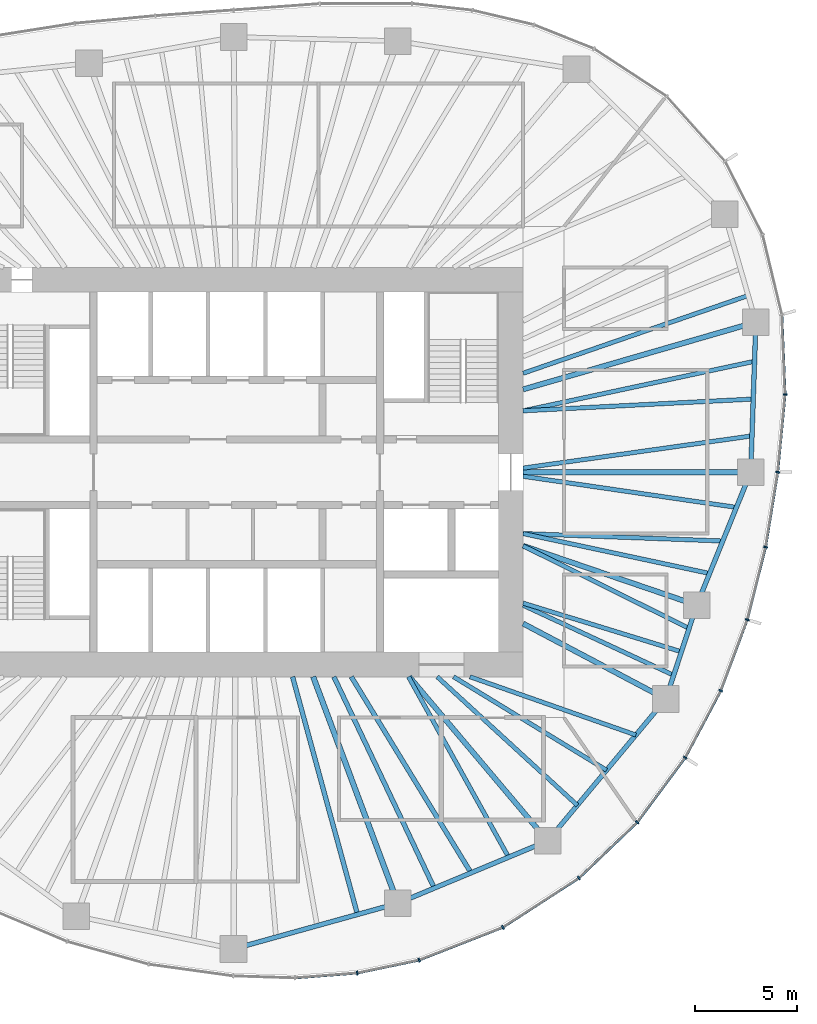
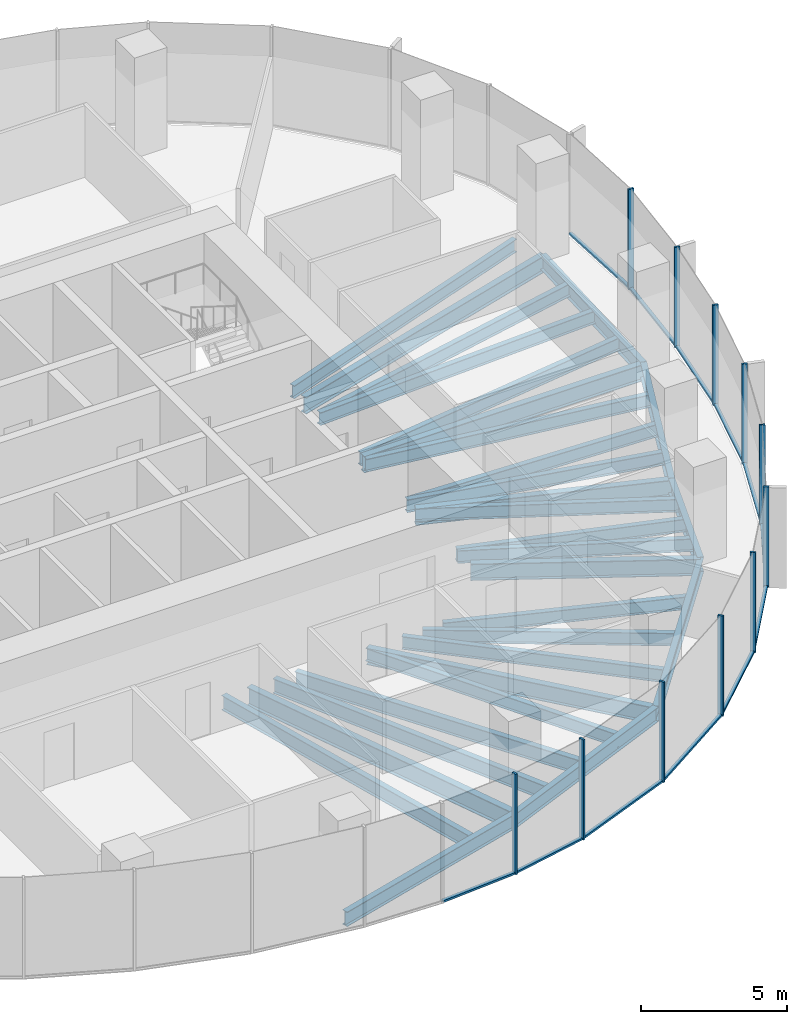
# One storey, part 4 of 12: 29 beams, 23 members, 6 elements without a shape of their own.
"""IFC4 building model written with IfcOpenShell, lengths in metres."""

from ifc_helpers import new_model, si_unit, direction, frame, origin, origin_2d, place, context, subcontext, project, spatial, rectangle, i_section, extrude, material, material_profile, profile_set, type_object, element, aggregate, save


model = new_model("IFC4")

# Units and contexts
model_context = context("Model", 3, precision=1e-05, world=origin(), true_north=direction((0.0, 1.0)))
body_context = subcontext(model_context, "Body", "Model", "MODEL_VIEW")
ifc_project = project(units=[si_unit("LENGTHUNIT", "METRE"), si_unit("AREAUNIT", "SQUARE_METRE"), si_unit("VOLUMEUNIT", "CUBIC_METRE"), si_unit("PLANEANGLEUNIT", "RADIAN"), si_unit("MASSUNIT", "GRAM", prefix="KILO")], contexts=[model_context])

# Site, building, storey
site_placement = place(None, origin())
site = spatial("IfcSite", under=ifc_project, at=site_placement, CompositionType="ELEMENT")
building_placement = place(site_placement, origin())
building = spatial("IfcBuilding", under=site, at=building_placement, Name="Ghaith Harvest Tower", CompositionType="ELEMENT")
storey_placement = place(building_placement, frame((0.0, 0.0, 228.39990234375)))
storey = spatial("IfcBuildingStorey", under=building, at=storey_placement, Name="L50", CompositionType="ELEMENT", Elevation=228.39990234375)

# Curtain wall, members
ifc_material_1 = material(Name="Black anodised aluminium and fritted glass", Category="aluminium")
curtain_wall_type = type_object("IfcCurtainWallType", Name="CW-H CURTAIN WALL", PredefinedType="NOTDEFINED", material=ifc_material_1)
curtain_wall_1_placement = place(storey_placement, origin())
curtain_wall_1 = element("IfcCurtainWall", 1, at=curtain_wall_1_placement, inside=storey, type_object=curtain_wall_type, Name="Curtain wall CW-H bay 01 L50", PredefinedType="NOTDEFINED")
ifc_material_2 = material(Name="Aluminium, black anodised", Category="aluminium")
ifc_material_profile_1 = material_profile(ifc_material_2, rectangle(XDim=0.080078125, YDim=0.199951171875, at=origin_2d()), Name="CW-H MULLION 80x200")
ifc_profile_set_1 = profile_set([ifc_material_profile_1], Name="Aluminium, black anodised")
member_type_1 = type_object("IfcMemberType", Name="CW-H MULLION 80x200", PredefinedType="MULLION", material=ifc_profile_set_1)
member_1_placement = place(storey_placement, frame((26.445068359375, 0.0, 0.0), z_axis=(0.0, 0.0, 1.0), x_axis=(0.126567624553, 0.991957981174, 0.0)))
member_1 = element("IfcMember", 2, at=member_1_placement, type_object=member_type_1, Name="CW-H mullion 1 bay 01 L50", PredefinedType="MULLION", context=body_context, shape_type="SweptSolid", body=[
    extrude(rectangle(XDim=0.080078125, YDim=0.199951171875, at=origin_2d()), origin(), (0.0, 0.0, 1.0), 4.2001953125),
])
member_2_placement = place(storey_placement, frame((26.804443359375, 3.7958984375, 0.0), z_axis=(0.0, 0.0, 1.0), x_axis=(0.026142797814, 0.999658218654, 0.0)))
member_2 = element("IfcMember", 3, at=member_2_placement, type_object=member_type_1, Name="CW-H mullion 2 bay 01 L50", PredefinedType="MULLION", context=body_context, shape_type="SweptSolid", body=[
    extrude(rectangle(XDim=0.080078125, YDim=0.199951171875, at=origin_2d()), origin(), (0.0, 0.0, 1.0), 4.2001953125),
])

# Curtain wall, member
curtain_wall_2_placement = place(storey_placement, origin())
curtain_wall_2 = element("IfcCurtainWall", 4, at=curtain_wall_2_placement, inside=storey, type_object=curtain_wall_type, Name="Curtain wall CW-H bay 16 L50", PredefinedType="NOTDEFINED")
member_3_placement = place(storey_placement, frame((5.893310546875, -24.48291015625, 0.0), z_axis=(0.0, 0.0, 1.0), x_axis=(0.989849191496, 0.142121701704, 0.0)))
member_3 = element("IfcMember", 5, at=member_3_placement, type_object=member_type_1, Name="CW-H mullion 3 bay 16 L50", PredefinedType="MULLION", context=body_context, shape_type="SweptSolid", body=[
    extrude(rectangle(XDim=0.080078125, YDim=0.199951171875, at=origin_2d()), origin(), (0.0, 0.0, 1.0), 4.2001953125),
])

# Curtain wall, members
curtain_wall_3_placement = place(storey_placement, origin())
curtain_wall_3 = element("IfcCurtainWall", 6, at=curtain_wall_3_placement, inside=storey, type_object=curtain_wall_type, Name="Curtain wall CW-H bay 17 L50", PredefinedType="NOTDEFINED")
member_4_placement = place(storey_placement, frame((8.916015625, -23.85009765625, 0.0), z_axis=(0.0, 0.0, 1.0), x_axis=(0.954029934434, 0.299711334793, 0.0)))
member_4 = element("IfcMember", 7, at=member_4_placement, type_object=member_type_1, Name="CW-H mullion 1 bay 17 L50", PredefinedType="MULLION", context=body_context, shape_type="SweptSolid", body=[
    extrude(rectangle(XDim=0.080078125, YDim=0.199951171875, at=origin_2d()), origin(), (0.0, 0.0, 1.0), 4.2001953125),
])
member_5_placement = place(storey_placement, frame((13.010009765625, -22.2470703125, 0.0), z_axis=(0.0, 0.0, 1.0), x_axis=(0.889568363425, 0.456802065225, 0.0)))
member_5 = element("IfcMember", 8, at=member_5_placement, type_object=member_type_1, Name="CW-H mullion 2 bay 17 L50", PredefinedType="MULLION", context=body_context, shape_type="SweptSolid", body=[
    extrude(rectangle(XDim=0.080078125, YDim=0.199951171875, at=origin_2d()), origin(), (0.0, 0.0, 1.0), 4.2001953125),
])

curtain_wall_4_placement = place(storey_placement, origin())
curtain_wall_4 = element("IfcCurtainWall", 9, at=curtain_wall_4_placement, inside=storey, type_object=curtain_wall_type, Name="Curtain wall CW-H bay 18 L50", PredefinedType="NOTDEFINED")
member_6_placement = place(storey_placement, frame((16.72900390625, -19.838134765625, 0.0), z_axis=(0.0, 0.0, 1.0), x_axis=(0.78784554071, 0.615872879727, 0.0)))
member_6 = element("IfcMember", 10, at=member_6_placement, type_object=member_type_1, Name="CW-H mullion 1 bay 18 L50", PredefinedType="MULLION", context=body_context, shape_type="SweptSolid", body=[
    extrude(rectangle(XDim=0.080078125, YDim=0.199951171875, at=origin_2d()), origin(), (0.0, 0.0, 1.0), 4.2001953125),
])
member_7_placement = place(storey_placement, frame((19.57421875, -17.11572265625, 0.0), z_axis=(0.0, 0.0, 1.0), x_axis=(0.661614965695, 0.749843741835, 0.0)))
member_7 = element("IfcMember", 11, at=member_7_placement, type_object=member_type_1, Name="CW-H mullion 2 bay 18 L50", PredefinedType="MULLION", context=body_context, shape_type="SweptSolid", body=[
    extrude(rectangle(XDim=0.080078125, YDim=0.199951171875, at=origin_2d()), origin(), (0.0, 0.0, 1.0), 4.2001953125),
])

curtain_wall_5_placement = place(storey_placement, origin())
curtain_wall_5 = element("IfcCurtainWall", 12, at=curtain_wall_5_placement, inside=storey, type_object=curtain_wall_type, Name="Curtain wall CW-H bay 19 L50", PredefinedType="NOTDEFINED")
member_8_placement = place(storey_placement, frame((21.922607421875, -13.951904296875, 0.0), z_axis=(0.0, 0.0, 1.0), x_axis=(0.535827198032, 0.844327669717, 0.0)))
member_8 = element("IfcMember", 13, at=member_8_placement, type_object=member_type_1, Name="CW-H mullion 1 bay 19 L50", PredefinedType="MULLION", context=body_context, shape_type="SweptSolid", body=[
    extrude(rectangle(XDim=0.080078125, YDim=0.199951171875, at=origin_2d()), origin(), (0.0, 0.0, 1.0), 4.2001953125),
])
member_9_placement = place(storey_placement, frame((23.658203125, -10.680419921875, 0.0), z_axis=(0.0, 0.0, 1.0), x_axis=(0.410429862351, 0.911892169114, 0.0)))
member_9 = element("IfcMember", 14, at=member_9_placement, type_object=member_type_1, Name="CW-H mullion 2 bay 19 L50", PredefinedType="MULLION", context=body_context, shape_type="SweptSolid", body=[
    extrude(rectangle(XDim=0.080078125, YDim=0.199951171875, at=origin_2d()), origin(), (0.0, 0.0, 1.0), 4.2001953125),
])

curtain_wall_6_placement = place(storey_placement, origin())
curtain_wall_6 = element("IfcCurtainWall", 15, at=curtain_wall_6_placement, inside=storey, type_object=curtain_wall_type, Name="Curtain wall CW-H bay 20 L50", PredefinedType="NOTDEFINED")
member_10_placement = place(storey_placement, frame((24.955810546875, -7.212890625, 0.0), z_axis=(0.0, 0.0, 1.0), x_axis=(0.298441625478, 0.954427889462, 0.0)))
member_10 = element("IfcMember", 16, at=member_10_placement, type_object=member_type_1, Name="CW-H mullion 1 bay 20 L50", PredefinedType="MULLION", context=body_context, shape_type="SweptSolid", body=[
    extrude(rectangle(XDim=0.080078125, YDim=0.199951171875, at=origin_2d()), origin(), (0.0, 0.0, 1.0), 4.2001953125),
])
member_11_placement = place(storey_placement, frame((25.85302734375, -3.6611328125, 0.0), z_axis=(0.0, 0.0, 1.0), x_axis=(0.202192370647, 0.979345825157, 0.0)))
member_11 = element("IfcMember", 17, at=member_11_placement, type_object=member_type_1, Name="CW-H mullion 2 bay 20 L50", PredefinedType="MULLION", context=body_context, shape_type="SweptSolid", body=[
    extrude(rectangle(XDim=0.080078125, YDim=0.199951171875, at=origin_2d()), origin(), (0.0, 0.0, 1.0), 4.2001953125),
])

# Member
ifc_material_3 = material(Name="Aluminium, black anodised", Category="aluminium")
ifc_material_profile_2 = material_profile(ifc_material_3, rectangle(XDim=0.1298828125, YDim=0.080078125, at=origin_2d()), Name="CW-H TRANSOM 130x80")
ifc_profile_set_2 = profile_set([ifc_material_profile_2], Name="Aluminium, black anodised")
member_type_2 = type_object("IfcMemberType", Name="CW-H TRANSOM 130x80", PredefinedType="USERDEFINED", material=ifc_profile_set_2)
member_12_placement = place(storey_placement, frame((26.44873046875, 0.039794921875, 0.0400390625), z_axis=(0.094309089207, 0.995542965267, 0.0), x_axis=(-0.995542965267, 0.094309089207, 0.0)))
member_12 = element("IfcMember", 18, at=member_12_placement, type_object=member_type_2, Name="CW-H transom 1 bay 01 L50", ObjectType="TRANSOM", PredefinedType="USERDEFINED", context=body_context, shape_type="SweptSolid", body=[
    extrude(rectangle(XDim=0.1298828125, YDim=0.080078125, at=origin_2d()), origin(), (0.0, 0.0, 1.0), 3.73291015625),
])

member_13_placement = place(storey_placement, frame((26.802978515625, 3.8359375, 0.0400390625), z_axis=(-0.040492641284, 0.999179836667, 0.0), x_axis=(-0.999179836667, -0.040492641284, 0.0)))
member_13 = element("IfcMember", 19, at=member_13_placement, type_object=member_type_2, Name="CW-H transom 2 bay 01 L50", ObjectType="TRANSOM", PredefinedType="USERDEFINED", context=body_context, shape_type="SweptSolid", body=[
    extrude(rectangle(XDim=0.1298828125, YDim=0.080078125, at=origin_2d()), origin(), (0.0, 0.0, 1.0), 3.82861328125),
])

aggregate(curtain_wall_1, [member_1, member_12, member_2, member_13])

member_14_placement = place(storey_placement, frame((2.8876953125, -24.71826171875, 0.0400390625), z_axis=(0.996949781933, 0.078045706505, 0.0), x_axis=(-0.078045706505, 0.996949781933, 0.0)))
member_14 = element("IfcMember", 20, at=member_14_placement, type_object=member_type_2, Name="CW-H transom 2 bay 16 L50", ObjectType="TRANSOM", PredefinedType="USERDEFINED", context=body_context, shape_type="SweptSolid", body=[
    extrude(rectangle(XDim=0.1298828125, YDim=0.080078125, at=origin_2d()), origin(), (0.0, 0.0, 1.0), 2.974853515625),
])

member_15_placement = place(storey_placement, frame((5.932373046875, -24.474609375, 0.0400390625), z_axis=(0.978797058213, 0.204832416461, 0.0), x_axis=(-0.204832416461, 0.978797058213, 0.0)))
member_15 = element("IfcMember", 21, at=member_15_placement, type_object=member_type_2, Name="CW-H transom 3 bay 16 L50", ObjectType="TRANSOM", PredefinedType="USERDEFINED", context=body_context, shape_type="SweptSolid", body=[
    extrude(rectangle(XDim=0.1298828125, YDim=0.080078125, at=origin_2d()), origin(), (0.0, 0.0, 1.0), 3.00830078125),
])

aggregate(curtain_wall_2, [member_14, member_3, member_15])

member_16_placement = place(storey_placement, frame((8.953369140625, -23.835693359375, 0.0400390625), z_axis=(0.931147615871, 0.364642451529, 0.0), x_axis=(-0.364642451529, 0.931147615871, 0.0)))
member_16 = element("IfcMember", 22, at=member_16_placement, type_object=member_type_2, Name="CW-H transom 1 bay 17 L50", ObjectType="TRANSOM", PredefinedType="USERDEFINED", context=body_context, shape_type="SweptSolid", body=[
    extrude(rectangle(XDim=0.1298828125, YDim=0.080078125, at=origin_2d()), origin(), (0.0, 0.0, 1.0), 4.31640625),
])

member_17_placement = place(storey_placement, frame((13.04345703125, -22.225341796875, 0.0400390625), z_axis=(0.839306610985, 0.543658360331, 0.0), x_axis=(-0.543658360331, 0.839306610985, 0.0)))
member_17 = element("IfcMember", 23, at=member_17_placement, type_object=member_type_2, Name="CW-H transom 2 bay 17 L50", ObjectType="TRANSOM", PredefinedType="USERDEFINED", context=body_context, shape_type="SweptSolid", body=[
    extrude(rectangle(XDim=0.1298828125, YDim=0.080078125, at=origin_2d()), origin(), (0.0, 0.0, 1.0), 4.35107421875),
])

aggregate(curtain_wall_3, [member_4, member_16, member_5, member_17])

member_18_placement = place(storey_placement, frame((16.7578125, -19.810546875, 0.0400390625), z_axis=(0.722533278657, 0.691336141998, 0.0), x_axis=(-0.691336141998, 0.722533278657, 0.0)))
member_18 = element("IfcMember", 24, at=member_18_placement, type_object=member_type_2, Name="CW-H transom 1 bay 18 L50", ObjectType="TRANSOM", PredefinedType="USERDEFINED", context=body_context, shape_type="SweptSolid", body=[
    extrude(rectangle(XDim=0.1298828125, YDim=0.080078125, at=origin_2d()), origin(), (0.0, 0.0, 1.0), 3.858154296875),
])

member_19_placement = place(storey_placement, frame((19.59814453125, -17.083740234375, 0.0400390625), z_axis=(0.595995597074, 0.802987701194, 0.0), x_axis=(-0.802987701194, 0.595995597074, 0.0)))
member_19 = element("IfcMember", 25, at=member_19_placement, type_object=member_type_2, Name="CW-H transom 2 bay 18 L50", ObjectType="TRANSOM", PredefinedType="USERDEFINED", context=body_context, shape_type="SweptSolid", body=[
    extrude(rectangle(XDim=0.1298828125, YDim=0.080078125, at=origin_2d()), origin(), (0.0, 0.0, 1.0), 3.8603515625),
])

aggregate(curtain_wall_4, [member_6, member_18, member_7, member_19])

member_20_placement = place(storey_placement, frame((21.94140625, -13.91650390625, 0.0400390625), z_axis=(0.468646057757, 0.883386026915, 0.0), x_axis=(-0.883386026915, 0.468646057757, 0.0)))
member_20 = element("IfcMember", 26, at=member_20_placement, type_object=member_type_2, Name="CW-H transom 1 bay 19 L50", ObjectType="TRANSOM", PredefinedType="USERDEFINED", context=body_context, shape_type="SweptSolid", body=[
    extrude(rectangle(XDim=0.1298828125, YDim=0.080078125, at=origin_2d()), origin(), (0.0, 0.0, 1.0), 3.623291015625),
])

member_21_placement = place(storey_placement, frame((23.672119140625, -10.64306640625, 0.0400390625), z_axis=(0.350510368091, 0.936558851253, 0.0), x_axis=(-0.936558851253, 0.350510368091, 0.0)))
member_21 = element("IfcMember", 27, at=member_21_placement, type_object=member_type_2, Name="CW-H transom 2 bay 19 L50", ObjectType="TRANSOM", PredefinedType="USERDEFINED", context=body_context, shape_type="SweptSolid", body=[
    extrude(rectangle(XDim=0.1298828125, YDim=0.080078125, at=origin_2d()), origin(), (0.0, 0.0, 1.0), 3.62255859375),
])

aggregate(curtain_wall_5, [member_8, member_20, member_9, member_21])

member_22_placement = place(storey_placement, frame((24.965576171875, -7.174072265625, 0.0400390625), z_axis=(0.244939588347, 0.969538342749, 0.0), x_axis=(-0.969538342749, 0.244939588347, 0.0)))
member_22 = element("IfcMember", 28, at=member_22_placement, type_object=member_type_2, Name="CW-H transom 1 bay 20 L50", ObjectType="TRANSOM", PredefinedType="USERDEFINED", context=body_context, shape_type="SweptSolid", body=[
    extrude(rectangle(XDim=0.1298828125, YDim=0.080078125, at=origin_2d()), origin(), (0.0, 0.0, 1.0), 3.583251953125),
])

member_23_placement = place(storey_placement, frame((25.859375, -3.62158203125, 0.0400390625), z_axis=(0.159661845696, 0.987171765717, 0.0), x_axis=(-0.987171765717, 0.159661845696, 0.0)))
member_23 = element("IfcMember", 29, at=member_23_placement, type_object=member_type_2, Name="CW-H transom 2 bay 20 L50", ObjectType="TRANSOM", PredefinedType="USERDEFINED", context=body_context, shape_type="SweptSolid", body=[
    extrude(rectangle(XDim=0.1298828125, YDim=0.080078125, at=origin_2d()), origin(), (0.0, 0.0, 1.0), 3.628662109375),
])

aggregate(curtain_wall_6, [member_10, member_22, member_11, member_23])

# Beams
ifc_material_4 = material(Name="Steel ASTM A992 Grade 50", Category="steel")
ifc_material_profile_3 = material_profile(ifc_material_4, i_section(OverallWidth=0.22900390625, OverallDepth=0.612060546875, WebThickness=0.011962890625, FlangeThickness=0.01953125, at=origin_2d()), Name="W610X125")
ifc_profile_set_3 = profile_set([ifc_material_profile_3], Name="Steel ASTM A992 Grade 50")
beam_type_1 = type_object("IfcBeamType", Name="E610-125 W610X125", PredefinedType="SPANDREL", material=ifc_profile_set_3)
beam_1_placement = place(storey_placement, frame((25.125, 0.0, -0.475830078125), z_axis=(0.03446227584, 0.999405999354, 0.0), x_axis=(-0.999405999354, 0.03446227584, 0.0)))
element("IfcBeam", 30, at=beam_1_placement, inside=storey, type_object=beam_type_1, Name="Edge beam E01 L50", PredefinedType="SPANDREL", context=body_context, shape_type="SweptSolid", body=[
    extrude(i_section(OverallWidth=0.22900390625, OverallDepth=0.612060546875, WebThickness=0.011962890625, FlangeThickness=0.01953125, at=origin_2d()), origin(), (0.0, 0.0, 1.0), 7.33935546875),
])
beam_2_placement = place(storey_placement, frame((-0.158935546875, -23.304931640625, -0.475830078125), z_axis=(0.963504070594, 0.267693679323, 0.0), x_axis=(-0.267693679323, 0.963504070594, 0.0)))
element("IfcBeam", 31, at=beam_2_placement, inside=storey, type_object=beam_type_1, Name="Edge beam E16 L50", PredefinedType="SPANDREL", context=body_context, shape_type="SweptSolid", body=[
    extrude(i_section(OverallWidth=0.22900390625, OverallDepth=0.612060546875, WebThickness=0.011962890625, FlangeThickness=0.01953125, at=origin_2d()), origin(), (0.0, 0.0, 1.0), 8.34130859375),
])
beam_3_placement = place(storey_placement, frame((7.8779296875, -21.072021484375, -0.475830078125), z_axis=(0.923119729219, 0.384512633766, 0.0), x_axis=(-0.384512633766, 0.923119729219, 0.0)))
element("IfcBeam", 32, at=beam_3_placement, inside=storey, type_object=beam_type_1, Name="Edge beam E17 L50", PredefinedType="SPANDREL", context=body_context, shape_type="SweptSolid", body=[
    extrude(i_section(OverallWidth=0.22900390625, OverallDepth=0.612060546875, WebThickness=0.011962890625, FlangeThickness=0.01953125, at=origin_2d()), origin(), (0.0, 0.0, 1.0), 7.9296875),
])
beam_4_placement = place(storey_placement, frame((15.197998046875, -18.02294921875, -0.475830078125), z_axis=(0.640173759088, 0.76823014662, 0.0), x_axis=(-0.76823014662, 0.640173759088, 0.0)))
element("IfcBeam", 33, at=beam_4_placement, inside=storey, type_object=beam_type_1, Name="Edge beam E18 L50", PredefinedType="SPANDREL", context=body_context, shape_type="SweptSolid", body=[
    extrude(i_section(OverallWidth=0.22900390625, OverallDepth=0.612060546875, WebThickness=0.011962890625, FlangeThickness=0.01953125, at=origin_2d()), origin(), (0.0, 0.0, 1.0), 9.02734375),
])
beam_5_placement = place(storey_placement, frame((20.97705078125, -11.087890625, -0.475830078125), z_axis=(0.312206727278, 0.950014189074, 0.0), x_axis=(-0.950014189074, 0.312206727278, 0.0)))
element("IfcBeam", 34, at=beam_5_placement, inside=storey, type_object=beam_type_1, Name="Edge beam E19 L50", PredefinedType="SPANDREL", context=body_context, shape_type="SweptSolid", body=[
    extrude(i_section(OverallWidth=0.22900390625, OverallDepth=0.612060546875, WebThickness=0.011962890625, FlangeThickness=0.01953125, at=origin_2d()), origin(), (0.0, 0.0, 1.0), 4.830322265625),
])
beam_6_placement = place(storey_placement, frame((22.485107421875, -6.4990234375, -0.475830078125), z_axis=(0.376335970246, 0.926483263475, 0.0), x_axis=(-0.926483263475, 0.376335970246, 0.0)))
element("IfcBeam", 35, at=beam_6_placement, inside=storey, type_object=beam_type_1, Name="Edge beam E20 L50", PredefinedType="SPANDREL", context=body_context, shape_type="SweptSolid", body=[
    extrude(i_section(OverallWidth=0.22900390625, OverallDepth=0.612060546875, WebThickness=0.011962890625, FlangeThickness=0.01953125, at=origin_2d()), origin(), (0.0, 0.0, 1.0), 7.0146484375),
])
ifc_material_5 = material(Name="Steel ASTM A992 Grade 50", Category="steel")
ifc_material_profile_4 = material_profile(ifc_material_5, i_section(OverallWidth=0.256103515625, OverallDepth=0.693115234375, WebThickness=0.014404296875, FlangeThickness=0.023681640625, at=origin_2d()), Name="W690X170")
ifc_profile_set_4 = profile_set([ifc_material_profile_4], Name="Steel ASTM A992 Grade 50")
beam_type_2 = type_object("IfcBeamType", Name="G690-170 W690X170", PredefinedType="BEAM", material=ifc_profile_set_4)
beam_7_placement = place(storey_placement, frame((14.0, 0.0, -0.516357421875), z_axis=(1.0, 0.0, 0.0), x_axis=(0.0, 1.0, 0.0)))
element("IfcBeam", 36, at=beam_7_placement, inside=storey, type_object=beam_type_2, Name="Radial girder G01 L50", PredefinedType="BEAM", context=body_context, shape_type="SweptSolid", body=[
    extrude(i_section(OverallWidth=0.256103515625, OverallDepth=0.693115234375, WebThickness=0.014404296875, FlangeThickness=0.023681640625, at=origin_2d()), origin(), (0.0, 0.0, 1.0), 11.125),
])
beam_8_placement = place(storey_placement, frame((14.0, 4.04638671875, -0.516357421875), z_axis=(0.960677776578, 0.277665643518, 0.0), x_axis=(-0.277665643518, 0.960677776578, 0.0)))
element("IfcBeam", 37, at=beam_8_placement, inside=storey, type_object=beam_type_2, Name="Radial girder G02 L50", PredefinedType="BEAM", context=body_context, shape_type="SweptSolid", body=[
    extrude(i_section(OverallWidth=0.256103515625, OverallDepth=0.693115234375, WebThickness=0.014404296875, FlangeThickness=0.023681640625, at=origin_2d()), origin(), (0.0, 0.0, 1.0), 11.84375),
])
beam_9_placement = place(storey_placement, frame((8.4326171875, -10.0, -0.516357421875), z_axis=(0.644649240595, -0.764478486682, 0.0), x_axis=(0.764478486682, 0.644649240595, 0.0)))
element("IfcBeam", 38, at=beam_9_placement, inside=storey, type_object=beam_type_2, Name="Radial girder G18 L50", PredefinedType="BEAM", context=body_context, shape_type="SweptSolid", body=[
    extrude(i_section(OverallWidth=0.256103515625, OverallDepth=0.693115234375, WebThickness=0.014404296875, FlangeThickness=0.023681640625, at=origin_2d()), origin(), (0.0, 0.0, 1.0), 10.49462890625),
])
beam_10_placement = place(storey_placement, frame((14.0, -7.39990234375, -0.516357421875), z_axis=(0.884088732293, -0.467319070264, 0.0), x_axis=(0.467319070264, 0.884088732293, 0.0)))
element("IfcBeam", 39, at=beam_10_placement, inside=storey, type_object=beam_type_2, Name="Radial girder G19 L50", PredefinedType="BEAM", context=body_context, shape_type="SweptSolid", body=[
    extrude(i_section(OverallWidth=0.256103515625, OverallDepth=0.693115234375, WebThickness=0.014404296875, FlangeThickness=0.023681640625, at=origin_2d()), origin(), (0.0, 0.0, 1.0), 7.891845703125),
])
beam_11_placement = place(storey_placement, frame((14.0, -3.60009765625, -0.516357421875), z_axis=(0.94629622913, -0.323300861018, 0.0), x_axis=(0.323300861018, 0.94629622913, 0.0)))
element("IfcBeam", 40, at=beam_11_placement, inside=storey, type_object=beam_type_2, Name="Radial girder G20 L50", PredefinedType="BEAM", context=body_context, shape_type="SweptSolid", body=[
    extrude(i_section(OverallWidth=0.256103515625, OverallDepth=0.693115234375, WebThickness=0.014404296875, FlangeThickness=0.023681640625, at=origin_2d()), origin(), (0.0, 0.0, 1.0), 8.966552734375),
])
ifc_material_6 = material(Name="Steel ASTM A992 Grade 50", Category="steel")
ifc_material_profile_5 = material_profile(ifc_material_6, i_section(OverallWidth=0.26806640625, OverallDepth=0.77001953125, WebThickness=0.015625, FlangeThickness=0.025390625, at=origin_2d()), Name="W760X196")
ifc_profile_set_5 = profile_set([ifc_material_profile_5], Name="Steel ASTM A992 Grade 50")
beam_type_3 = type_object("IfcBeamType", Name="G760-196 W760X196", PredefinedType="BEAM", material=ifc_profile_set_5)
beam_12_placement = place(storey_placement, frame((3.73828125, -10.0, -0.554931640625), z_axis=(0.350206582147, -0.936672488024, 0.0), x_axis=(0.936672488024, 0.350206582147, 0.0)))
element("IfcBeam", 41, at=beam_12_placement, inside=storey, type_object=beam_type_3, Name="Radial girder G17 L50", PredefinedType="BEAM", context=body_context, shape_type="SweptSolid", body=[
    extrude(i_section(OverallWidth=0.26806640625, OverallDepth=0.77001953125, WebThickness=0.015625, FlangeThickness=0.025390625, at=origin_2d()), origin(), (0.0, 0.0, 1.0), 11.820556640625),
])
ifc_material_7 = material(Name="Steel ASTM A992 Grade 50", Category="steel")
ifc_material_profile_6 = material_profile(ifc_material_7, i_section(OverallWidth=0.2109375, OverallDepth=0.5390625, WebThickness=0.01171875, FlangeThickness=0.018798828125, at=origin_2d()), Name="W530X109")
ifc_profile_set_6 = profile_set([ifc_material_profile_6], Name="Steel ASTM A992 Grade 50")
beam_type_4 = type_object("IfcBeamType", Name="J530-109 W530X109", PredefinedType="JOIST", material=ifc_profile_set_6)
beam_13_placement = place(storey_placement, frame((14.0, 0.199951171875, -0.439453125), z_axis=(0.990239574724, 0.139375696052, 0.0), x_axis=(-0.139375696052, 0.990239574724, 0.0)))
element("IfcBeam", 42, at=beam_13_placement, inside=storey, type_object=beam_type_4, Name="Joist J01.1 L50", PredefinedType="JOIST", context=body_context, shape_type="SweptSolid", body=[
    extrude(i_section(OverallWidth=0.2109375, OverallDepth=0.5390625, WebThickness=0.01171875, FlangeThickness=0.018798828125, at=origin_2d()), origin(), (0.0, 0.0, 1.0), 11.296630859375),
])
beam_14_placement = place(storey_placement, frame((14.0, 3.0, -0.439453125), z_axis=(0.998693995267, 0.051091132482, 0.0), x_axis=(-0.051091132482, 0.998693995267, 0.0)))
element("IfcBeam", 43, at=beam_14_placement, inside=storey, type_object=beam_type_4, Name="Joist J01.2 L50", PredefinedType="JOIST", context=body_context, shape_type="SweptSolid", body=[
    extrude(i_section(OverallWidth=0.2109375, OverallDepth=0.5390625, WebThickness=0.01171875, FlangeThickness=0.018798828125, at=origin_2d()), origin(), (0.0, 0.0, 1.0), 11.262939453125),
])
beam_15_placement = place(storey_placement, frame((14.0, 3.0, -0.439453125), z_axis=(0.977840076912, 0.209353251672, 0.0), x_axis=(-0.209353251672, 0.977840076912, 0.0)))
element("IfcBeam", 44, at=beam_15_placement, inside=storey, type_object=beam_type_4, Name="Joist J01.3 L50", PredefinedType="JOIST", context=body_context, shape_type="SweptSolid", body=[
    extrude(i_section(OverallWidth=0.2109375, OverallDepth=0.5390625, WebThickness=0.01171875, FlangeThickness=0.018798828125, at=origin_2d()), origin(), (0.0, 0.0, 1.0), 11.568359375),
])
beam_16_placement = place(storey_placement, frame((14.0, 4.835693359375, -0.439453125), z_axis=(0.945202328042, 0.326485159025, 0.0), x_axis=(-0.326485159025, 0.945202328042, 0.0)))
element("IfcBeam", 45, at=beam_16_placement, inside=storey, type_object=beam_type_4, Name="Joist J02.1 L50", PredefinedType="JOIST", context=body_context, shape_type="SweptSolid", body=[
    extrude(i_section(OverallWidth=0.2109375, OverallDepth=0.5390625, WebThickness=0.01171875, FlangeThickness=0.018798828125, at=origin_2d()), origin(), (0.0, 0.0, 1.0), 11.63916015625),
])
beam_17_placement = place(storey_placement, frame((8.39990234375, -10.0, -0.439453125), z_axis=(0.484919107871, -0.874559008199, 0.0), x_axis=(0.874559008199, 0.484919107871, 0.0)))
element("IfcBeam", 46, at=beam_17_placement, inside=storey, type_object=beam_type_4, Name="Joist J17.3 L50", PredefinedType="JOIST", context=body_context, shape_type="SweptSolid", body=[
    extrude(i_section(OverallWidth=0.2109375, OverallDepth=0.5390625, WebThickness=0.01171875, FlangeThickness=0.018798828125, at=origin_2d()), origin(), (0.0, 0.0, 1.0), 10.0830078125),
])
beam_18_placement = place(storey_placement, frame((9.800048828125, -10.0, -0.439453125), z_axis=(0.736998187228, -0.675894719629, 0.0), x_axis=(0.675894719629, 0.736998187228, 0.0)))
element("IfcBeam", 47, at=beam_18_placement, inside=storey, type_object=beam_type_4, Name="Joist J18.1 L50", PredefinedType="JOIST", context=body_context, shape_type="SweptSolid", body=[
    extrude(i_section(OverallWidth=0.2109375, OverallDepth=0.5390625, WebThickness=0.01171875, FlangeThickness=0.018798828125, at=origin_2d()), origin(), (0.0, 0.0, 1.0), 9.293701171875),
])
beam_19_placement = place(storey_placement, frame((14.0, -3.0, -0.439453125), z_axis=(0.977841497168, -0.209346617877, 0.0), x_axis=(0.209346617877, 0.977841497168, 0.0)))
element("IfcBeam", 48, at=beam_19_placement, inside=storey, type_object=beam_type_4, Name="Joist J20.1 L50", PredefinedType="JOIST", context=body_context, shape_type="SweptSolid", body=[
    extrude(i_section(OverallWidth=0.2109375, OverallDepth=0.5390625, WebThickness=0.01171875, FlangeThickness=0.018798828125, at=origin_2d()), origin(), (0.0, 0.0, 1.0), 9.3203125),
])
beam_20_placement = place(storey_placement, frame((14.0, -3.0, -0.439453125), z_axis=(0.999303105315, -0.037326983644, 0.0), x_axis=(0.037326983644, 0.999303105315, 0.0)))
element("IfcBeam", 49, at=beam_20_placement, inside=storey, type_object=beam_type_4, Name="Joist J20.2 L50", PredefinedType="JOIST", context=body_context, shape_type="SweptSolid", body=[
    extrude(i_section(OverallWidth=0.2109375, OverallDepth=0.5390625, WebThickness=0.01171875, FlangeThickness=0.018798828125, at=origin_2d()), origin(), (0.0, 0.0, 1.0), 9.76513671875),
])
beam_21_placement = place(storey_placement, frame((14.0, -0.199951171875, -0.439453125), z_axis=(0.989525259022, -0.144359834294, 0.0), x_axis=(0.144359834294, 0.989525259022, 0.0)))
element("IfcBeam", 50, at=beam_21_placement, inside=storey, type_object=beam_type_4, Name="Joist J20.3 L50", PredefinedType="JOIST", context=body_context, shape_type="SweptSolid", body=[
    extrude(i_section(OverallWidth=0.2109375, OverallDepth=0.5390625, WebThickness=0.01171875, FlangeThickness=0.018798828125, at=origin_2d()), origin(), (0.0, 0.0, 1.0), 10.5361328125),
])
ifc_material_8 = material(Name="Steel ASTM A992 Grade 50", Category="steel")
ifc_material_profile_7 = material_profile(ifc_material_8, i_section(OverallWidth=0.208984375, OverallDepth=0.532958984375, WebThickness=0.01025390625, FlangeThickness=0.015625, at=origin_2d()), Name="W530X92")
ifc_profile_set_7 = profile_set([ifc_material_profile_7], Name="Steel ASTM A992 Grade 50")
beam_type_5 = type_object("IfcBeamType", Name="J530-92 W530X92", PredefinedType="JOIST", material=ifc_profile_set_7)
beam_22_placement = place(storey_placement, frame((10.60009765625, -10.0, -0.4365234375), z_axis=(0.853467052113, -0.521146803654, 0.0), x_axis=(0.521146803654, 0.853467052113, 0.0)))
element("IfcBeam", 51, at=beam_22_placement, inside=storey, type_object=beam_type_5, Name="Joist J18.2 L50", PredefinedType="JOIST", context=body_context, shape_type="SweptSolid", body=[
    extrude(i_section(OverallWidth=0.208984375, OverallDepth=0.532958984375, WebThickness=0.01025390625, FlangeThickness=0.015625, at=origin_2d()), origin(), (0.0, 0.0, 1.0), 8.76220703125),
])
beam_23_placement = place(storey_placement, frame((11.39990234375, -10.0, -0.4365234375), z_axis=(0.943605274188, -0.331072630285, 0.0), x_axis=(0.331072630285, 0.943605274188, 0.0)))
element("IfcBeam", 52, at=beam_23_placement, inside=storey, type_object=beam_type_5, Name="Joist J18.3 L50", PredefinedType="JOIST", context=body_context, shape_type="SweptSolid", body=[
    extrude(i_section(OverallWidth=0.208984375, OverallDepth=0.532958984375, WebThickness=0.01025390625, FlangeThickness=0.015625, at=origin_2d()), origin(), (0.0, 0.0, 1.0), 8.596923828125),
])
beam_24_placement = place(storey_placement, frame((14.0, -6.506103515625, -0.4365234375), z_axis=(0.906865270415, -0.421420670251, 0.0), x_axis=(0.421420670251, 0.906865270415, 0.0)))
element("IfcBeam", 53, at=beam_24_placement, inside=storey, type_object=beam_type_5, Name="Joist J19.1 L50", PredefinedType="JOIST", context=body_context, shape_type="SweptSolid", body=[
    extrude(i_section(OverallWidth=0.208984375, OverallDepth=0.532958984375, WebThickness=0.01025390625, FlangeThickness=0.015625, at=origin_2d()), origin(), (0.0, 0.0, 1.0), 8.11474609375),
])
beam_25_placement = place(storey_placement, frame((14.0, -6.39990234375, -0.4365234375), z_axis=(0.955870927609, -0.293786946192, 0.0), x_axis=(0.293786946192, 0.955870927609, 0.0)))
element("IfcBeam", 54, at=beam_25_placement, inside=storey, type_object=beam_type_5, Name="Joist J19.2 L50", PredefinedType="JOIST", context=body_context, shape_type="SweptSolid", body=[
    extrude(i_section(OverallWidth=0.208984375, OverallDepth=0.532958984375, WebThickness=0.01025390625, FlangeThickness=0.015625, at=origin_2d()), origin(), (0.0, 0.0, 1.0), 8.09326171875),
])
beam_26_placement = place(storey_placement, frame((14.0, -3.60009765625, -0.4365234375), z_axis=(0.89523949078, -0.445585293909, 0.0), x_axis=(0.445585293909, 0.89523949078, 0.0)))
element("IfcBeam", 55, at=beam_26_placement, inside=storey, type_object=beam_type_5, Name="Joist J19.3 L50", PredefinedType="JOIST", context=body_context, shape_type="SweptSolid", body=[
    extrude(i_section(OverallWidth=0.208984375, OverallDepth=0.532958984375, WebThickness=0.01025390625, FlangeThickness=0.015625, at=origin_2d()), origin(), (0.0, 0.0, 1.0), 9.060302734375),
])
ifc_material_9 = material(Name="Steel ASTM A992 Grade 50", Category="steel")
ifc_material_profile_8 = material_profile(ifc_material_9, i_section(OverallWidth=0.22900390625, OverallDepth=0.612060546875, WebThickness=0.011962890625, FlangeThickness=0.01953125, at=origin_2d()), Name="W610X125")
ifc_profile_set_8 = profile_set([ifc_material_profile_8], Name="Steel ASTM A992 Grade 50")
beam_type_6 = type_object("IfcBeamType", Name="J610-125 W610X125", PredefinedType="JOIST", material=ifc_profile_set_8)
beam_27_placement = place(storey_placement, frame((2.73095703125, -10.0, -0.475830078125), z_axis=(0.263456947705, -0.964671154698, 0.0), x_axis=(0.964671154698, 0.263456947705, 0.0)))
element("IfcBeam", 56, at=beam_27_placement, inside=storey, type_object=beam_type_6, Name="Joist J16.3 L50", PredefinedType="JOIST", context=body_context, shape_type="SweptSolid", body=[
    extrude(i_section(OverallWidth=0.22900390625, OverallDepth=0.612060546875, WebThickness=0.011962890625, FlangeThickness=0.01953125, at=origin_2d()), origin(), (0.0, 0.0, 1.0), 12.0458984375),
])
beam_28_placement = place(storey_placement, frame((4.75, -10.0, -0.475830078125), z_axis=(0.429080762264, -0.90326612881, 0.0), x_axis=(0.90326612881, 0.429080762264, 0.0)))
element("IfcBeam", 57, at=beam_28_placement, inside=storey, type_object=beam_type_6, Name="Joist J17.1 L50", PredefinedType="JOIST", context=body_context, shape_type="SweptSolid", body=[
    extrude(i_section(OverallWidth=0.22900390625, OverallDepth=0.612060546875, WebThickness=0.011962890625, FlangeThickness=0.01953125, at=origin_2d()), origin(), (0.0, 0.0, 1.0), 11.437255859375),
])
beam_29_placement = place(storey_placement, frame((5.60009765625, -10.0, -0.475830078125), z_axis=(0.521165912119, -0.853455383746, 0.0), x_axis=(0.853455383746, 0.521165912119, 0.0)))
element("IfcBeam", 58, at=beam_29_placement, inside=storey, type_object=beam_type_6, Name="Joist J17.2 L50", PredefinedType="JOIST", context=body_context, shape_type="SweptSolid", body=[
    extrude(i_section(OverallWidth=0.22900390625, OverallDepth=0.612060546875, WebThickness=0.011962890625, FlangeThickness=0.01953125, at=origin_2d()), origin(), (0.0, 0.0, 1.0), 11.228759765625),
])

save(model, "model.ifc")
